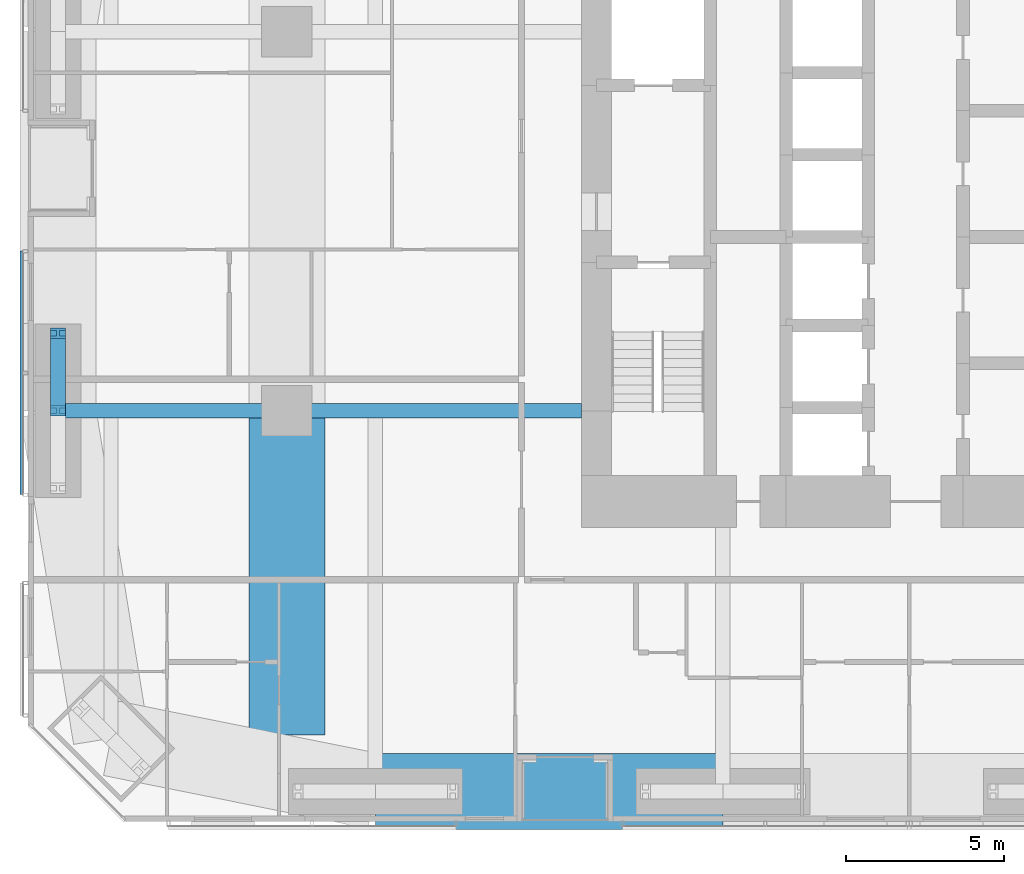
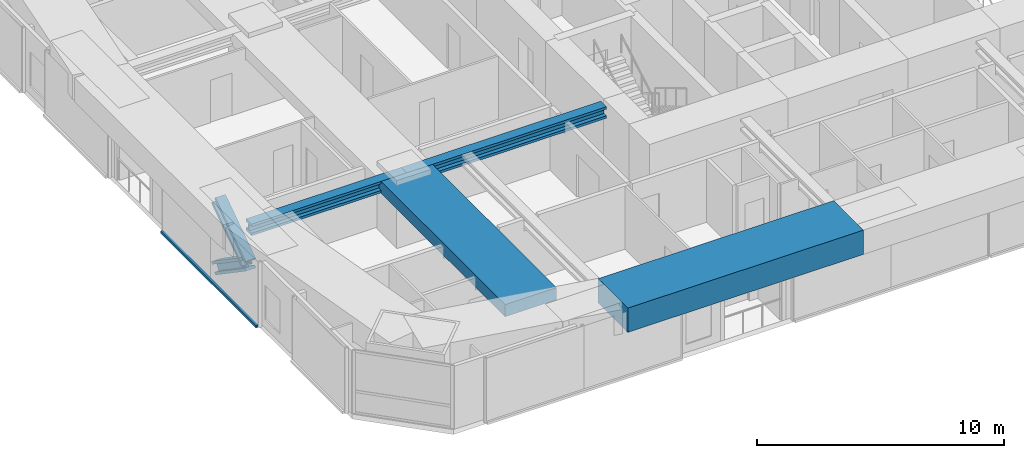
# One storey, part 3 of 22: 4 beams, 3 members, 1 element without a shape of its own.
"""IFC4 building model written with IfcOpenShell, lengths in metres."""

from ifc_helpers import new_model, si_unit, direction, frame, origin, origin_2d, place, context, subcontext, project, spatial, rectangle, i_section, extrude, material, material_profile, profile_set, type_object, element, aggregate, save


model = new_model("IFC4")

# Units and contexts
model_context = context("Model", 3, precision=1e-05, world=origin(), true_north=direction((0.0, 1.0)))
body_context = subcontext(model_context, "Body", "Model", "MODEL_VIEW")
ifc_project = project(units=[si_unit("LENGTHUNIT", "METRE"), si_unit("AREAUNIT", "SQUARE_METRE"), si_unit("VOLUMEUNIT", "CUBIC_METRE"), si_unit("PLANEANGLEUNIT", "RADIAN"), si_unit("MASSUNIT", "GRAM", prefix="KILO")], contexts=[model_context])

# Site, building, storey
site_placement = place(None, origin())
site = spatial("IfcSite", under=ifc_project, at=site_placement, CompositionType="ELEMENT")
building_placement = place(site_placement, origin())
building = spatial("IfcBuilding", under=site, at=building_placement, Name="Jalousie Tower", CompositionType="ELEMENT")
storey_placement = place(building_placement, frame((0.0, 0.0, 67.89990234375)))
storey = spatial("IfcBuildingStorey", under=building, at=storey_placement, Name="L18", CompositionType="ELEMENT", Elevation=67.89990234375)

# Beams
ifc_material_1 = material(Name="Steel ASTM A992 Grade 50", Category="steel")
ifc_material_profile_1 = material_profile(ifc_material_1, i_section(OverallWidth=0.45458984375, OverallDepth=0.569091796875, WebThickness=0.077880859375, FlangeThickness=0.124755859375, at=origin_2d()), Name="W14X730")
ifc_profile_set_1 = profile_set([ifc_material_profile_1], Name="Steel ASTM A992 Grade 50")
beam_type_1 = type_object("IfcBeamType", Name="LEAN COLLECTOR W14X730", PredefinedType="BEAM", material=ifc_profile_set_1)
beam_1_placement = place(storey_placement, frame((2.949951171875, 13.0, 2.82568359375), z_axis=(1.0, 0.0, 0.0), x_axis=(0.0, 1.0, 0.0)))
element("IfcBeam", 1, at=beam_1_placement, inside=storey, type_object=beam_type_1, Name="Lean collector under L19", PredefinedType="BEAM", context=body_context, shape_type="SweptSolid", body=[
    extrude(i_section(OverallWidth=0.45458984375, OverallDepth=0.569091796875, WebThickness=0.077880859375, FlangeThickness=0.124755859375, at=origin_2d()), origin(), (0.0, 0.0, 1.0), 7.25),
])
beam_2_placement = place(storey_placement, frame((10.199951171875, 13.0, 2.82568359375), z_axis=(1.0, 0.0, 0.0), x_axis=(0.0, 1.0, 0.0)))
element("IfcBeam", 2, at=beam_2_placement, inside=storey, type_object=beam_type_1, Name="Lean collector under L19", PredefinedType="BEAM", context=body_context, shape_type="SweptSolid", body=[
    extrude(i_section(OverallWidth=0.45458984375, OverallDepth=0.569091796875, WebThickness=0.077880859375, FlangeThickness=0.124755859375, at=origin_2d()), origin(), (0.0, 0.0, 1.0), 9.324951171875),
])

# Members
ifc_material_2 = material(Name="Steel ASTM A992 Grade 50", Category="steel")
ifc_material_profile_2 = material_profile(ifc_material_2, i_section(OverallWidth=0.472412109375, OverallDepth=0.5791015625, WebThickness=0.094970703125, FlangeThickness=0.1298828125, at=origin_2d()), Name="W14X808")
ifc_profile_set_2 = profile_set([ifc_material_profile_2], Name="Steel ASTM A992 Grade 50")
member_type_1 = type_object("IfcMemberType", Name="PERIMETER BRACE W14X808", PredefinedType="BRACE", material=ifc_profile_set_2)
for number, where, z_axis, x_axis, name in (
    (3, (2.949951171875, 13.0, 1.0751953125), (0.0, 0.825539243753, 0.564344714713), (-1.0, 0.0, 0.0), "Perimeter brace 14 L18 part 2"),
    (4, (2.949951171875, 15.449951171875, -0.599853515625), (0.0, -0.825500916831, 0.564400776321), (1.0, 0.0, 0.0), "Perimeter brace 14 L18 part 3"),
):
    element("IfcMember", number, at=place(storey_placement, frame(where, z_axis=z_axis, x_axis=x_axis)), inside=storey, type_object=member_type_1, Name=name, PredefinedType="BRACE", context=body_context, shape_type="SweptSolid", body=[
        extrude(i_section(OverallWidth=0.472412109375, OverallDepth=0.5791015625, WebThickness=0.094970703125, FlangeThickness=0.1298828125, at=origin_2d()), origin(), (0.0, 0.0, 1.0), 2.9677734375),
    ])

# Beams
ifc_material_3 = material(Name="Concrete f'c 40 MPa", Category="concrete")
ifc_material_profile_3 = material_profile(ifc_material_3, rectangle(XDim=2.39990234375, YDim=1.199951171875, at=origin_2d()), Name="RC 2400x1200")
ifc_profile_set_3 = profile_set([ifc_material_profile_3], Name="Concrete f'c 40 MPa")
beam_type_2 = type_object("IfcBeamType", Name="RC BEAM 2400x1200", PredefinedType="BEAM", material=ifc_profile_set_3)
beam_3_placement = place(storey_placement, frame((13.0, 0.949951171875, 2.75), z_axis=(1.0, 0.0, 0.0), x_axis=(0.0, 1.0, 0.0)))
element("IfcBeam", 5, at=beam_3_placement, inside=storey, type_object=beam_type_2, Name="Edge band beam 02-03 under L19", PredefinedType="BEAM", context=body_context, shape_type="SweptSolid", body=[
    extrude(rectangle(XDim=2.39990234375, YDim=1.199951171875, at=origin_2d()), origin(), (0.0, 0.0, 1.0), 11.0),
])
ifc_material_4 = material(Name="Concrete f'c 40 MPa", Category="concrete")
ifc_material_profile_4 = material_profile(ifc_material_4, rectangle(XDim=2.39990234375, YDim=0.60009765625, at=origin_2d()), Name="RC 2400x600")
ifc_profile_set_4 = profile_set([ifc_material_profile_4], Name="Concrete f'c 40 MPa")
beam_type_3 = type_object("IfcBeamType", Name="RC BEAM 2400x600", PredefinedType="BEAM", material=ifc_profile_set_4)
beam_4_placement = place(storey_placement, frame((10.199951171875, 13.0, 2.81005859375), z_axis=(0.0, -1.0, 0.0), x_axis=(1.0, 0.0, 0.0)))
element("IfcBeam", 6, at=beam_4_placement, inside=storey, type_object=beam_type_3, Name="Floor band beam under L19", PredefinedType="BEAM", context=body_context, shape_type="SweptSolid", body=[
    extrude(rectangle(XDim=2.39990234375, YDim=0.60009765625, at=origin_2d()), origin(), (0.0, 0.0, 1.0), 10.263427734375),
])

# Curtain wall, member
ifc_material_5 = material(Name="Perforated aluminium sheet", Category="aluminium")
curtain_wall_type = type_object("IfcCurtainWallType", Name="SOLAR SCREEN SS-1", PredefinedType="USERDEFINED", material=ifc_material_5)
curtain_wall_placement = place(storey_placement, origin())
curtain_wall = element("IfcCurtainWall", 7, at=curtain_wall_placement, inside=storey, type_object=curtain_wall_type, Name="Solar screen L18", ObjectType="SOLAR SCREEN SS-1", PredefinedType="USERDEFINED")
ifc_material_6 = material(Name="Extruded aluminium screen rail", Category="aluminium")
ifc_material_profile_5 = material_profile(ifc_material_6, rectangle(XDim=0.1015625, YDim=0.1201171875, at=origin_2d()), Name="RAIL 102x120")
ifc_profile_set_5 = profile_set([ifc_material_profile_5], Name="Extruded aluminium screen rail")
member_type_2 = type_object("IfcMemberType", Name="SOLAR SCREEN SS-1 TRANSOM", PredefinedType="USERDEFINED", material=ifc_profile_set_5)
member_placement = place(storey_placement, frame((1.8017578125, 18.050048828125, -0.059814453125), z_axis=(0.0, -1.0, 0.0), x_axis=(1.0, 0.0, 0.0)))
member = element("IfcMember", 8, at=member_placement, type_object=member_type_2, Name="SS1 rail", ObjectType="TRANSOM", PredefinedType="USERDEFINED", context=body_context, shape_type="SweptSolid", body=[
    extrude(rectangle(XDim=0.1015625, YDim=0.1201171875, at=origin_2d()), origin(), (0.0, 0.0, 1.0), 7.706298828125),
])
aggregate(curtain_wall, [member])

save(model, "model.ifc")
